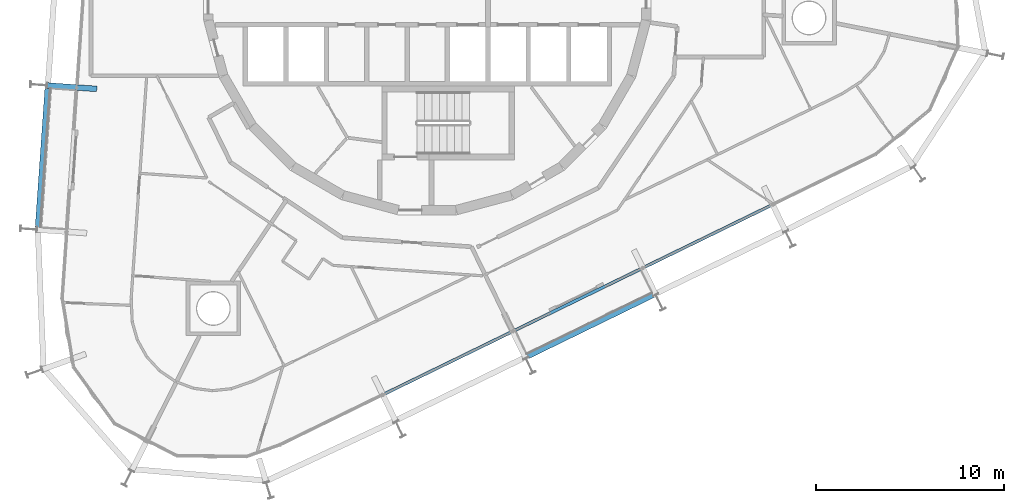
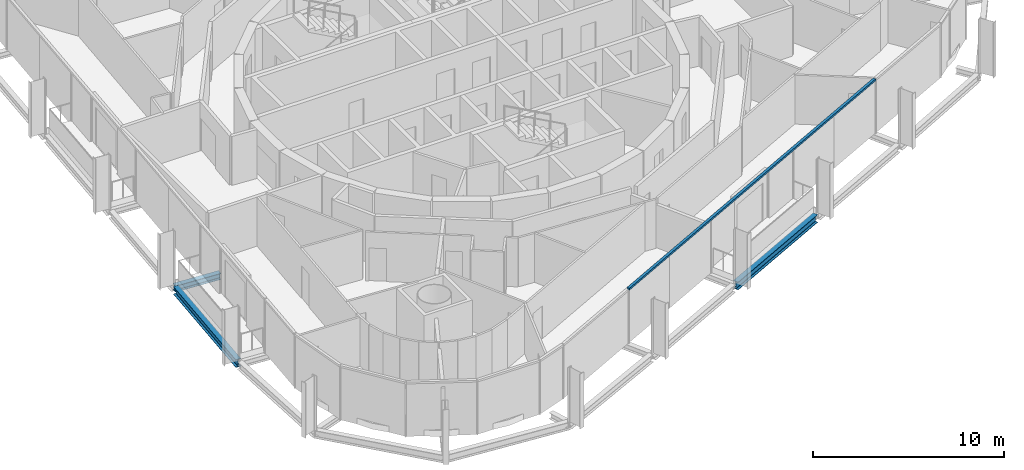
# One storey, part 3 of 18: 3 beams, 1 member, 1 element without a shape of its own.
"""IFC4 building model written with IfcOpenShell, lengths in metres."""

from ifc_helpers import new_model, si_unit, direction, frame, origin, origin_2d, place, context, subcontext, project, spatial, rectangle, i_section, extrude, material, layer, layer_set, material_profile, profile_set, type_object, element, aggregate, save


model = new_model("IFC4")

# Units and contexts
model_context = context("Model", 3, precision=1e-05, world=origin(), true_north=direction((0.0, 1.0)))
body_context = subcontext(model_context, "Body", "Model", "MODEL_VIEW")
ifc_project = project(units=[si_unit("LENGTHUNIT", "METRE"), si_unit("AREAUNIT", "SQUARE_METRE"), si_unit("VOLUMEUNIT", "CUBIC_METRE"), si_unit("PLANEANGLEUNIT", "RADIAN"), si_unit("MASSUNIT", "GRAM", prefix="KILO")], contexts=[model_context])

# Site, building, storey
site_placement = place(None, origin())
site = spatial("IfcSite", under=ifc_project, at=site_placement, CompositionType="ELEMENT")
building_placement = place(site_placement, origin())
building = spatial("IfcBuilding", under=site, at=building_placement, Name="Spindle Arch Residences", CompositionType="ELEMENT")
storey_placement = place(building_placement, frame((0.0, 0.0, 205.89990234375)))
storey = spatial("IfcBuildingStorey", under=building, at=storey_placement, Name="L52", CompositionType="ELEMENT", Elevation=205.89990234375)

# Curtain wall, member
ifc_material_1 = material(Name="Aluminium bronze unitised frame with tinted glass", Category="aluminium")
ifc_layer = layer(ifc_material_1, 0.159912109375)
ifc_layer_set = layer_set([ifc_layer], Name="CW-C typical residential unitised wall")
curtain_wall_type = type_object("IfcCurtainWallType", Name="CW-C typical residential unitised wall", PredefinedType="NOTDEFINED", material=ifc_layer_set)
curtain_wall_placement = place(storey_placement, origin())
curtain_wall = element("IfcCurtainWall", 1, at=curtain_wall_placement, inside=storey, type_object=curtain_wall_type, Name="CW-C L52 run 6", PredefinedType="NOTDEFINED")
ifc_material_2 = material(Name="Aluminium bronze anodised transom", Category="aluminium")
ifc_material_profile_1 = material_profile(ifc_material_2, rectangle(XDim=0.159912109375, YDim=0.1201171875, at=origin_2d()), Name="TR 120x160")
ifc_profile_set_1 = profile_set([ifc_material_profile_1], Name="Aluminium bronze anodised transom")
member_type = type_object("IfcMemberType", Name="Bronze transom 120x160", PredefinedType="USERDEFINED", material=ifc_profile_set_1)
member_placement = place(storey_placement, frame((-2.340576171875, -21.45849609375, 3.06005859375), z_axis=(0.898793313451, 0.438372649347, 0.0), x_axis=(-0.438372649347, 0.898793313451, 0.0)))
member = element("IfcMember", 2, at=member_placement, type_object=member_type, Name="CW-C transom 00", ObjectType="TRANSOM", PredefinedType="USERDEFINED", context=body_context, shape_type="SweptSolid", body=[
    extrude(rectangle(XDim=0.159912109375, YDim=0.1201171875, at=origin_2d()), origin(), (0.0, 0.0, 1.0), 23.02099609375),
])
aggregate(curtain_wall, [member])

# Beams
ifc_material_3 = material(Name="Steel S460ML, intumescent coating R 120", Category="steel")
ifc_material_profile_2 = material_profile(ifc_material_3, i_section(OverallWidth=0.300048828125, OverallDepth=0.5, WebThickness=0.014404296875, FlangeThickness=0.028076171875, FilletRadius=0.027099609375, at=origin_2d()), Name="HEB 500")
ifc_profile_set_2 = profile_set([ifc_material_profile_2], Name="Steel S460ML, intumescent coating R 120")
beam_type_1 = type_object("IfcBeamType", Name="Exoskeleton edge beam HEB 500", PredefinedType="BEAM", material=ifc_profile_set_2)
beam_1_placement = place(storey_placement, frame((-20.198974609375, -5.14501953125, -0.6298828125), z_axis=(-0.069725196579, -0.99756623688, 0.0), x_axis=(0.99756623688, -0.069725196579, 0.0)))
element("IfcBeam", 3, at=beam_1_placement, inside=storey, type_object=beam_type_1, Name="Exoskeleton edge beam 16", PredefinedType="BEAM", context=body_context, shape_type="SweptSolid", body=[
    extrude(i_section(OverallWidth=0.300048828125, OverallDepth=0.5, WebThickness=0.014404296875, FlangeThickness=0.028076171875, FilletRadius=0.027099609375, at=origin_2d()), origin(), (0.0, 0.0, 1.0), 7.43359375),
])
beam_2_placement = place(storey_placement, frame((5.3349609375, -19.417236328125, -0.6298828125), z_axis=(0.898791170385, 0.438377043238, 0.0), x_axis=(-0.438377043238, 0.898791170385, 0.0)))
element("IfcBeam", 4, at=beam_2_placement, inside=storey, type_object=beam_type_1, Name="Exoskeleton edge beam 22", PredefinedType="BEAM", context=body_context, shape_type="SweptSolid", body=[
    extrude(i_section(OverallWidth=0.300048828125, OverallDepth=0.5, WebThickness=0.014404296875, FlangeThickness=0.028076171875, FilletRadius=0.027099609375, at=origin_2d()), origin(), (0.0, 0.0, 1.0), 7.433837890625),
])
ifc_material_4 = material(Name="Steel S460ML, intumescent coating R 120", Category="steel")
ifc_material_profile_3 = material_profile(ifc_material_4, i_section(OverallWidth=0.300048828125, OverallDepth=0.389892578125, WebThickness=0.010986328125, FlangeThickness=0.01904296875, FilletRadius=0.027099609375, at=origin_2d()), Name="HEA 400")
ifc_profile_set_3 = profile_set([ifc_material_profile_3], Name="Steel S460ML, intumescent coating R 120")
beam_type_2 = type_object("IfcBeamType", Name="Floor outrigger HEA 400", PredefinedType="BEAM", material=ifc_profile_set_3)
beam_3_placement = place(storey_placement, frame((-20.229736328125, -5.012451171875, -0.574951171875), z_axis=(0.997565124092, -0.069741115528, 0.0), x_axis=(0.069741115528, 0.997565124092, 0.0)))
element("IfcBeam", 5, at=beam_3_placement, inside=storey, type_object=beam_type_2, Name="Floor outrigger 16", PredefinedType="BEAM", context=body_context, shape_type="SweptSolid", body=[
    extrude(i_section(OverallWidth=0.300048828125, OverallDepth=0.389892578125, WebThickness=0.010986328125, FlangeThickness=0.01904296875, FilletRadius=0.027099609375, at=origin_2d()), origin(), (0.0, 0.0, 1.0), 2.64990234375),
])

save(model, "model.ifc")
